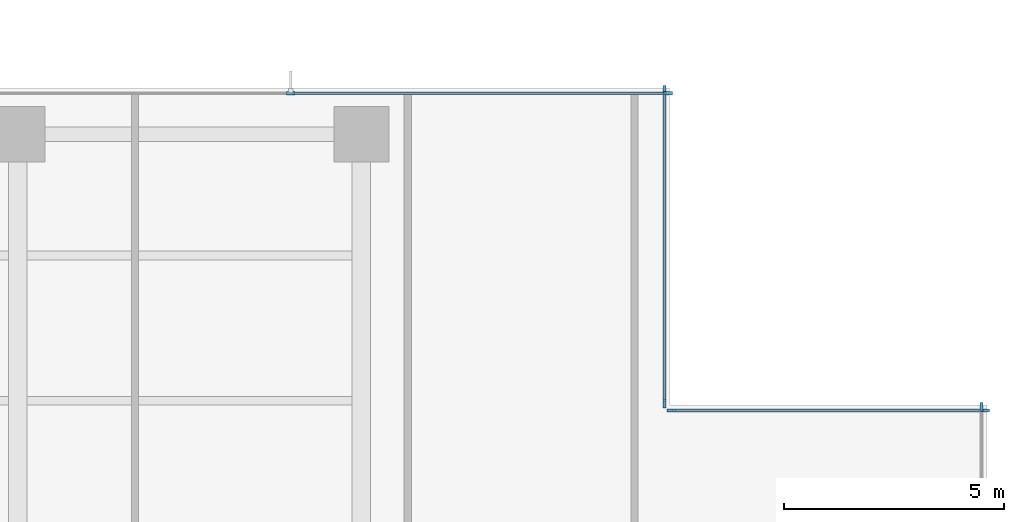
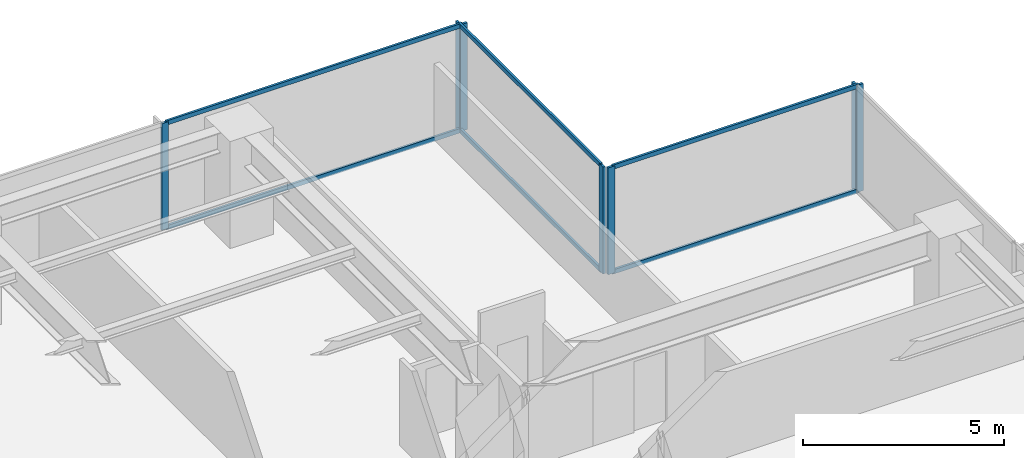
# One storey, part 6 of 17: 13 members, 4 elements without a shape of their own.
"""IFC4 building model written with IfcOpenShell, lengths in metres."""

from ifc_helpers import new_model, si_unit, direction, frame, origin, origin_2d, place, context, subcontext, project, spatial, rectangle, extrude, material, layer, layer_set, material_profile, profile_set, type_object, element, aggregate, save


model = new_model("IFC4")

# Units and contexts
model_context = context("Model", 3, precision=1e-05, world=origin(), true_north=direction((0.0, 1.0)))
body_context = subcontext(model_context, "Body", "Model", "MODEL_VIEW")
ifc_project = project(units=[si_unit("LENGTHUNIT", "METRE"), si_unit("AREAUNIT", "SQUARE_METRE"), si_unit("VOLUMEUNIT", "CUBIC_METRE"), si_unit("PLANEANGLEUNIT", "RADIAN"), si_unit("MASSUNIT", "GRAM", prefix="KILO")], contexts=[model_context])

# Site, building, storey
site_placement = place(None, origin())
site = spatial("IfcSite", under=ifc_project, at=site_placement, CompositionType="ELEMENT")
building_placement = place(site_placement, origin())
building = spatial("IfcBuilding", under=site, at=building_placement, Name="Qalmaran Belvedere Hotel", CompositionType="ELEMENT")
storey_placement = place(building_placement, frame((0.0, 0.0, 105.699951171875)))
storey = spatial("IfcBuildingStorey", under=building, at=storey_placement, Name="L26", CompositionType="ELEMENT", Elevation=105.699951171875)

# Curtain wall, member
ifc_material = material(Name="Anodised Bronze Aluminium", Category="aluminium")
ifc_layer = layer(ifc_material, 0.199951171875, Name="Anodised Bronze Aluminium")
ifc_layer_set = layer_set([ifc_layer], Name="Anodised Bronze Aluminium")
curtain_wall_type = type_object("IfcCurtainWallType", Name="CW3-TOWER-LOWMID", PredefinedType="NOTDEFINED", material=ifc_layer_set)
curtain_wall_1_placement = place(storey_placement, origin())
curtain_wall_1 = element("IfcCurtainWall", 1, at=curtain_wall_1_placement, inside=storey, type_object=curtain_wall_type, Name="L26 Curtain Wall CW3", PredefinedType="NOTDEFINED")
ifc_material_profile_1 = material_profile(ifc_material, rectangle(XDim=0.070068359375, YDim=0.18994140625, at=origin_2d()), Name="CWM70X190")
ifc_profile_set_1 = profile_set([ifc_material_profile_1], Name="Anodised Bronze Aluminium")
member_type_1 = type_object("IfcMemberType", Name="CWM-70X190", PredefinedType="MULLION", material=ifc_profile_set_1)
member_1_placement = place(storey_placement, frame((58.8798828125, 39.264892578125, 0.0), z_axis=(0.0, 0.0, 1.0), x_axis=(-1.0, 0.0, 0.0)))
member_1 = element("IfcMember", 2, at=member_1_placement, type_object=member_type_1, Name="CW3 mullion 5", PredefinedType="MULLION", context=body_context, shape_type="SweptSolid", body=[
    extrude(rectangle(XDim=0.070068359375, YDim=0.18994140625, at=origin_2d()), origin(), (0.0, 0.0, 1.0), 3.239990234375),
])
aggregate(curtain_wall_1, [member_1])

# Curtain wall, members
curtain_wall_2_placement = place(storey_placement, origin())
curtain_wall_2 = element("IfcCurtainWall", 3, at=curtain_wall_2_placement, inside=storey, type_object=curtain_wall_type, Name="L26 Curtain Wall CW3", PredefinedType="NOTDEFINED")
member_2_placement = place(storey_placement, frame((58.965087890625, 39.179931640625, 0.0), z_axis=(0.0, 0.0, 1.0), x_axis=(0.0, -1.0, 0.0)))
member_2 = element("IfcMember", 4, at=member_2_placement, type_object=member_type_1, Name="CW3 mullion 1", PredefinedType="MULLION", context=body_context, shape_type="SweptSolid", body=[
    extrude(rectangle(XDim=0.070068359375, YDim=0.18994140625, at=origin_2d()), origin(), (0.0, 0.0, 1.0), 3.239990234375),
])
member_3_placement = place(storey_placement, frame((51.8349609375, 39.179931640625, 0.0), z_axis=(0.0, 0.0, 1.0), x_axis=(0.0, -1.0, 0.0)))
member_3 = element("IfcMember", 5, at=member_3_placement, type_object=member_type_1, Name="CW3 mullion 2", PredefinedType="MULLION", context=body_context, shape_type="SweptSolid", body=[
    extrude(rectangle(XDim=0.070068359375, YDim=0.18994140625, at=origin_2d()), origin(), (0.0, 0.0, 1.0), 3.239990234375),
])

curtain_wall_3_placement = place(storey_placement, origin())
curtain_wall_3 = element("IfcCurtainWall", 6, at=curtain_wall_3_placement, inside=storey, type_object=curtain_wall_type, Name="L26 Curtain Wall CW3", PredefinedType="NOTDEFINED")
member_4_placement = place(storey_placement, frame((51.679931640625, 39.3349609375, 0.0), z_axis=(0.0, 0.0, 1.0), x_axis=(-1.0, 0.0, 0.0)))
member_4 = element("IfcMember", 7, at=member_4_placement, type_object=member_type_1, Name="CW3 mullion 1", PredefinedType="MULLION", context=body_context, shape_type="SweptSolid", body=[
    extrude(rectangle(XDim=0.070068359375, YDim=0.18994140625, at=origin_2d()), origin(), (0.0, 0.0, 1.0), 3.239990234375),
])
member_5_placement = place(storey_placement, frame((51.679931640625, 46.465087890625, 0.0), z_axis=(0.0, 0.0, 1.0), x_axis=(-1.0, 0.0, 0.0)))
member_5 = element("IfcMember", 8, at=member_5_placement, type_object=member_type_1, Name="CW3 mullion 2", PredefinedType="MULLION", context=body_context, shape_type="SweptSolid", body=[
    extrude(rectangle(XDim=0.070068359375, YDim=0.18994140625, at=origin_2d()), origin(), (0.0, 0.0, 1.0), 3.239990234375),
])

curtain_wall_4_placement = place(storey_placement, origin())
curtain_wall_4 = element("IfcCurtainWall", 9, at=curtain_wall_4_placement, inside=storey, type_object=curtain_wall_type, Name="L26 Curtain Wall CW3", PredefinedType="NOTDEFINED")
member_6_placement = place(storey_placement, frame((51.764892578125, 46.3798828125, 0.0), z_axis=(0.0, 0.0, 1.0), x_axis=(0.0, -1.0, 0.0)))
member_6 = element("IfcMember", 10, at=member_6_placement, type_object=member_type_1, Name="CW3 mullion 1", PredefinedType="MULLION", context=body_context, shape_type="SweptSolid", body=[
    extrude(rectangle(XDim=0.070068359375, YDim=0.18994140625, at=origin_2d()), origin(), (0.0, 0.0, 1.0), 3.239990234375),
])
member_7_placement = place(storey_placement, frame((43.199951171875, 46.3798828125, 0.0), z_axis=(0.0, 0.0, 1.0), x_axis=(0.0, -1.0, 0.0)))
member_7 = element("IfcMember", 11, at=member_7_placement, type_object=member_type_1, Name="CW3 mullion 2", PredefinedType="MULLION", context=body_context, shape_type="SweptSolid", body=[
    extrude(rectangle(XDim=0.070068359375, YDim=0.18994140625, at=origin_2d()), origin(), (0.0, 0.0, 1.0), 3.239990234375),
])

# Member
ifc_material_profile_2 = material_profile(ifc_material, rectangle(XDim=0.06494140625, YDim=0.1298828125, at=origin_2d()), Name="CWT65X130")
ifc_profile_set_2 = profile_set([ifc_material_profile_2], Name="Anodised Bronze Aluminium")
member_type_2 = type_object("IfcMemberType", Name="CWT-65X130", PredefinedType="USERDEFINED", material=ifc_profile_set_2)
member_8_placement = place(storey_placement, frame((58.929931640625, 39.179931640625, 0.032470703125), z_axis=(-1.0, 0.0, 0.0), x_axis=(0.0, -1.0, 0.0)))
member_8 = element("IfcMember", 12, at=member_8_placement, type_object=member_type_2, Name="CW3 transom 1.1", ObjectType="TRANSOM", PredefinedType="USERDEFINED", context=body_context, shape_type="SweptSolid", body=[
    extrude(rectangle(XDim=0.06494140625, YDim=0.1298828125, at=origin_2d()), origin(), (0.0, 0.0, 1.0), 7.059814453125),
])

member_9_placement = place(storey_placement, frame((58.929931640625, 39.179931640625, 3.20751953125), z_axis=(-1.0, 0.0, 0.0), x_axis=(0.0, -1.0, 0.0)))
member_9 = element("IfcMember", 13, at=member_9_placement, type_object=member_type_2, Name="CW3 transom 1.2", ObjectType="TRANSOM", PredefinedType="USERDEFINED", context=body_context, shape_type="SweptSolid", body=[
    extrude(rectangle(XDim=0.06494140625, YDim=0.1298828125, at=origin_2d()), origin(), (0.0, 0.0, 1.0), 7.059814453125),
])

aggregate(curtain_wall_2, [member_2, member_3, member_8, member_9])

member_10_placement = place(storey_placement, frame((51.679931640625, 39.3701171875, 0.032470703125), z_axis=(0.0, 1.0, 0.0), x_axis=(-1.0, 0.0, 0.0)))
member_10 = element("IfcMember", 14, at=member_10_placement, type_object=member_type_2, Name="CW3 transom 1.1", ObjectType="TRANSOM", PredefinedType="USERDEFINED", context=body_context, shape_type="SweptSolid", body=[
    extrude(rectangle(XDim=0.06494140625, YDim=0.1298828125, at=origin_2d()), origin(), (0.0, 0.0, 1.0), 7.059814453125),
])

member_11_placement = place(storey_placement, frame((51.679931640625, 39.3701171875, 3.20751953125), z_axis=(0.0, 1.0, 0.0), x_axis=(-1.0, 0.0, 0.0)))
member_11 = element("IfcMember", 15, at=member_11_placement, type_object=member_type_2, Name="CW3 transom 1.2", ObjectType="TRANSOM", PredefinedType="USERDEFINED", context=body_context, shape_type="SweptSolid", body=[
    extrude(rectangle(XDim=0.06494140625, YDim=0.1298828125, at=origin_2d()), origin(), (0.0, 0.0, 1.0), 7.059814453125),
])

aggregate(curtain_wall_3, [member_4, member_5, member_10, member_11])

member_12_placement = place(storey_placement, frame((51.72998046875, 46.3798828125, 0.032470703125), z_axis=(-1.0, 0.0, 0.0), x_axis=(0.0, -1.0, 0.0)))
member_12 = element("IfcMember", 16, at=member_12_placement, type_object=member_type_2, Name="CW3 transom 1.1", ObjectType="TRANSOM", PredefinedType="USERDEFINED", context=body_context, shape_type="SweptSolid", body=[
    extrude(rectangle(XDim=0.06494140625, YDim=0.1298828125, at=origin_2d()), origin(), (0.0, 0.0, 1.0), 8.494873046875),
])

member_13_placement = place(storey_placement, frame((51.72998046875, 46.3798828125, 3.20751953125), z_axis=(-1.0, 0.0, 0.0), x_axis=(0.0, -1.0, 0.0)))
member_13 = element("IfcMember", 17, at=member_13_placement, type_object=member_type_2, Name="CW3 transom 1.2", ObjectType="TRANSOM", PredefinedType="USERDEFINED", context=body_context, shape_type="SweptSolid", body=[
    extrude(rectangle(XDim=0.06494140625, YDim=0.1298828125, at=origin_2d()), origin(), (0.0, 0.0, 1.0), 8.494873046875),
])

aggregate(curtain_wall_4, [member_6, member_7, member_12, member_13])

save(model, "model.ifc")
